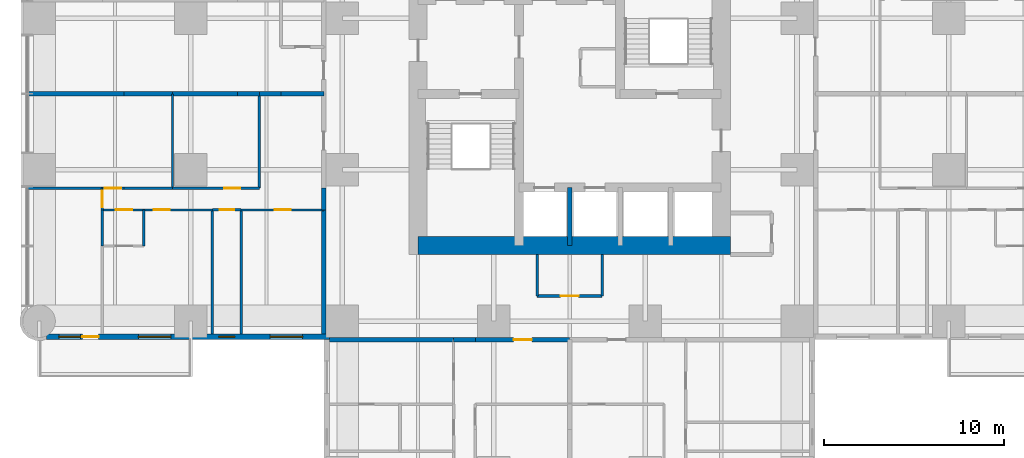
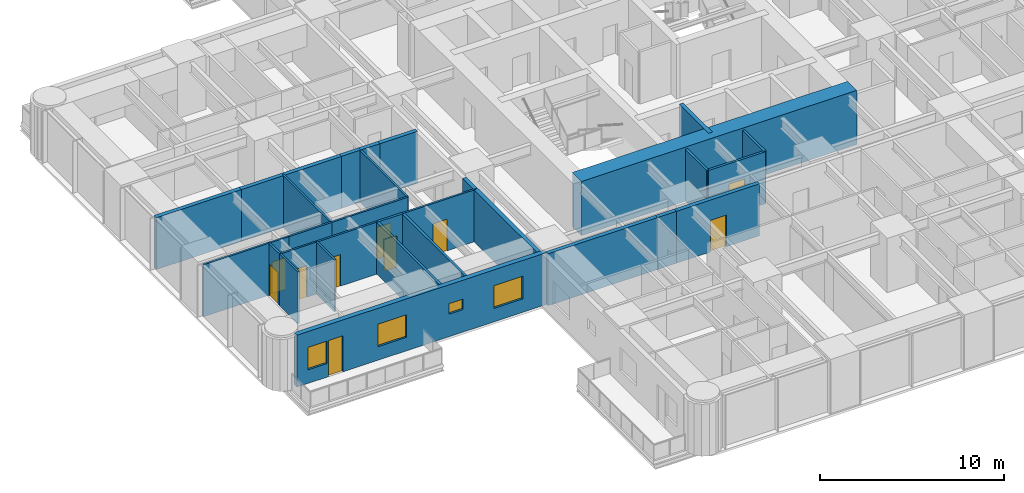
# One storey, part 8 of 17: 32 walls, 10 doors, 4 windows, 14 openings.
"""IFC4 building model written with IfcOpenShell, lengths in metres."""

from ifc_helpers import new_model, si_unit, direction, frame, frame_2d, origin, place, context, subcontext, project, spatial, rectangle, extrude, material, layer, layer_set, type_object, element, fill, save


model = new_model("IFC4")

# Units and contexts
model_context = context("Model", 3, precision=1e-05, world=origin(), true_north=direction((0.0, 1.0)))
body_context = subcontext(model_context, "Body", "Model", "MODEL_VIEW")
ifc_project = project(units=[si_unit("LENGTHUNIT", "METRE"), si_unit("AREAUNIT", "SQUARE_METRE"), si_unit("VOLUMEUNIT", "CUBIC_METRE"), si_unit("PLANEANGLEUNIT", "RADIAN"), si_unit("MASSUNIT", "GRAM", prefix="KILO")], contexts=[model_context])

# Site, building, storey
site_placement = place(None, origin())
site = spatial("IfcSite", under=ifc_project, at=site_placement, CompositionType="ELEMENT")
building_placement = place(site_placement, origin())
building = spatial("IfcBuilding", under=site, at=building_placement, Name="Torre Alcanfor", CompositionType="ELEMENT")
storey_placement = place(building_placement, frame((0.0, 0.0, 48.89990234375)))
storey = spatial("IfcBuildingStorey", under=building, at=storey_placement, Name="L11", CompositionType="ELEMENT", Elevation=48.89990234375)

# Wall, opening, door
ifc_material_1 = material(Name="Concrete block masonry, hollow blocks NMX-C-404 9 MPa", Category="masonry")
ifc_layer_1 = layer(ifc_material_1, 0.25)
ifc_layer_set_1 = layer_set([ifc_layer_1], Name="Apartment entrance wall 250 EI 60")
wall_type_1 = type_object("IfcWallType", Name="Apartment entrance wall 250 EI 60", PredefinedType="PARTITIONING", material=ifc_layer_set_1)
wall_1_placement = place(storey_placement, frame((29.39990234375, 15.77490234375, 0.0), z_axis=(0.0, 0.0, 1.0), x_axis=(-1.0, 0.0, 0.0)))
wall_1 = element("IfcWall", 1, at=wall_1_placement, inside=storey, type_object=wall_type_1, Name="Partition L11-CORR / L11-S2-ZAG", PredefinedType="PARTITIONING", context=body_context, shape_type="SweptSolid", body=[
    extrude(rectangle(XDim=5.22900390625, YDim=0.25, at=frame_2d((2.614501953125, 0.0))), origin(), (0.0, 0.0, 1.0), 3.4501953125),
])
opening_1_placement = place(wall_1_placement, frame((2.10009765625, 0.0, 0.0)))
opening_1 = element("IfcOpeningElement", 2, at=opening_1_placement, cuts=wall_1, Name="Opening D-A1", PredefinedType="OPENING", context=body_context, shape_type="SweptSolid", body=[
    extrude(rectangle(XDim=1.0, YDim=2.10009765625, at=frame_2d((0.5, 1.050048828125))), frame((0.0, 0.135009765625, 0.0), z_axis=(0.0, -1.0, 0.0), x_axis=(1.0, 0.0, 0.0)), (0.0, 0.0, 1.0), 0.27001953125),
])
ifc_material_2 = material(Name="Galvanised steel sheet ASTM A653", Category="steel")
door_type_1 = type_object("IfcDoorType", Name="Apartment entrance door FD60 1000x2100", OperationType="SINGLE_SWING_LEFT", PredefinedType="DOOR", material=ifc_material_2)
door_1_placement = place(opening_1_placement, origin())
door_1 = element("IfcDoor", 3, at=door_1_placement, inside=storey, type_object=door_type_1, Name="Apartment entrance L11-S2", OperationType="SINGLE_SWING_LEFT", OverallHeight=2.10009765625, OverallWidth=1.0, PredefinedType="DOOR", context=body_context, shape_type="SweptSolid", body=[
    extrude(rectangle(XDim=1.0, YDim=2.10009765625, at=frame_2d((0.5, 1.050048828125))), frame((0.0, 0.02490234375, 0.0), z_axis=(0.0, -1.0, 0.0), x_axis=(1.0, 0.0, 0.0)), (0.0, 0.0, 1.0), 0.050048828125),
])
fill(opening_1, door_1)

# Walls
wall_2_placement = place(storey_placement, frame((24.1708984375, 15.77490234375, 0.0), z_axis=(0.0, 0.0, 1.0), x_axis=(-1.0, 0.0, 0.0)))
element("IfcWall", 4, at=wall_2_placement, inside=storey, type_object=wall_type_1, Name="Partition L11-CORR / L11-S2-HALL", PredefinedType="PARTITIONING", context=body_context, shape_type="SweptSolid", body=[
    extrude(rectangle(XDim=1.199951171875, YDim=0.25, at=frame_2d((0.60009765625, 0.0))), origin(), (0.0, 0.0, 1.0), 3.4501953125),
])
wall_3_placement = place(storey_placement, frame((22.970947265625, 15.77490234375, 0.0), z_axis=(0.0, 0.0, 1.0), x_axis=(-1.0, 0.0, 0.0)))
element("IfcWall", 5, at=wall_3_placement, inside=storey, type_object=wall_type_1, Name="Partition L11-CORR / L11-S2-SERV", PredefinedType="PARTITIONING", context=body_context, shape_type="SweptSolid", body=[
    extrude(rectangle(XDim=6.870849609375, YDim=0.25, at=frame_2d((3.435546875, 0.0))), origin(), (0.0, 0.0, 1.0), 3.4501953125),
])
wall_4_placement = place(storey_placement, frame((15.77490234375, 22.970947265625, 0.0), z_axis=(0.0, 0.0, 1.0), x_axis=(0.0, 1.0, 0.0)))
element("IfcWall", 6, at=wall_4_placement, inside=storey, type_object=wall_type_1, Name="Partition L11-CORR / L11-W1-HALL", PredefinedType="PARTITIONING", context=body_context, shape_type="SweptSolid", body=[
    extrude(rectangle(XDim=1.199951171875, YDim=0.25, at=frame_2d((0.60009765625, 0.0))), origin(), (0.0, 0.0, 1.0), 3.4501953125),
])
wall_5_placement = place(storey_placement, frame((15.77490234375, 16.10009765625, 0.0), z_axis=(0.0, 0.0, 1.0), x_axis=(0.0, 1.0, 0.0)))
element("IfcWall", 7, at=wall_5_placement, inside=storey, type_object=wall_type_1, Name="Partition L11-CORR / L11-W1-BED2", PredefinedType="PARTITIONING", context=body_context, shape_type="SweptSolid", body=[
    extrude(rectangle(XDim=6.870849609375, YDim=0.25, at=frame_2d((3.435546875, 0.0))), origin(), (0.0, 0.0, 1.0), 3.4501953125),
])
ifc_material_3 = material(Name="Gypsum board on steel studs", Category="steel")
ifc_layer_2 = layer(ifc_material_3, 0.1201171875)
ifc_layer_set_2 = layer_set([ifc_layer_2], Name="Apartment partition 120")
wall_type_2 = type_object("IfcWallType", Name="Apartment partition 120", PredefinedType="PARTITIONING", material=ifc_layer_set_2)
for number, where, z_axis, x_axis, name in (
    (8, (12.199951171875, 29.39990234375, 0.0), (0.0, 0.0, 1.0), (0.0, -1.0, 0.0), "Partition L11-W1-ZAG / L11-W1-FAMILY"),
    (9, (7.39990234375, 29.39990234375, 0.0), (0.0, 0.0, 1.0), (0.0, -1.0, 0.0), "Partition L11-W1-FAMILY / L11-W1-KITCHEN"),
):
    element("IfcWall", number, at=place(storey_placement, frame(where, z_axis=z_axis, x_axis=x_axis)), inside=storey, type_object=wall_type_2, Name=name, PredefinedType="PARTITIONING", context=body_context, shape_type="SweptSolid", body=[
        extrude(rectangle(XDim=5.22900390625, YDim=0.1201171875, at=frame_2d((2.614501953125, 0.0))), origin(), (0.0, 0.0, 1.0), 3.4501953125),
    ])

# Wall, opening, door
wall_6_placement = place(storey_placement, frame((7.39990234375, 24.1708984375, 0.0), z_axis=(0.0, 0.0, 1.0), x_axis=(1.0, 0.0, 0.0)))
wall_6 = element("IfcWall", 10, at=wall_6_placement, inside=storey, type_object=wall_type_2, Name="Partition L11-W1-FAMILY / L11-W1-HALL", PredefinedType="PARTITIONING", context=body_context, shape_type="SweptSolid", body=[
    extrude(rectangle(XDim=4.800048828125, YDim=0.1201171875, at=frame_2d((2.39990234375, 0.0))), origin(), (0.0, 0.0, 1.0), 3.4501953125),
])
opening_2_placement = place(wall_6_placement, frame((2.85009765625, 0.0, 0.0)))
opening_2 = element("IfcOpeningElement", 11, at=opening_2_placement, cuts=wall_6, Name="Opening D-R1", PredefinedType="OPENING", context=body_context, shape_type="SweptSolid", body=[
    extrude(rectangle(XDim=0.89990234375, YDim=2.10009765625, at=frame_2d((0.449951171875, 1.050048828125))), frame((0.0, 0.070068359375, 0.0), z_axis=(0.0, -1.0, 0.0), x_axis=(1.0, 0.0, 0.0)), (0.0, 0.0, 1.0), 0.14013671875),
])
ifc_material_4 = material(Name="Timber", Category="wood")
door_type_2 = type_object("IfcDoorType", Name="Internal door 900x2100", OperationType="SINGLE_SWING_LEFT", PredefinedType="DOOR", material=ifc_material_4)
door_2_placement = place(opening_2_placement, origin())
door_2 = element("IfcDoor", 12, at=door_2_placement, inside=storey, type_object=door_type_2, Name="Door L11-W1 family", OperationType="SINGLE_SWING_RIGHT", OverallHeight=2.10009765625, OverallWidth=0.89990234375, PredefinedType="DOOR", context=body_context, shape_type="SweptSolid", body=[
    extrude(rectangle(XDim=0.89990234375, YDim=2.10009765625, at=frame_2d((0.449951171875, 1.050048828125))), frame((0.0, 0.02490234375, 0.0), z_axis=(0.0, -1.0, 0.0), x_axis=(1.0, 0.0, 0.0)), (0.0, 0.0, 1.0), 0.050048828125),
])
fill(opening_2, door_2)

# Wall
wall_7_placement = place(storey_placement, frame((4.699951171875, 24.1708984375, 0.0), z_axis=(0.0, 0.0, 1.0), x_axis=(1.0, 0.0, 0.0)))
element("IfcWall", 13, at=wall_7_placement, inside=storey, type_object=wall_type_2, Name="Partition L11-W1-KITCHEN / L11-W1-HALL", PredefinedType="PARTITIONING", context=body_context, shape_type="SweptSolid", body=[
    extrude(rectangle(XDim=2.699951171875, YDim=0.1201171875, at=frame_2d((1.35009765625, 0.0))), origin(), (0.0, 0.0, 1.0), 3.4501953125),
])

# Wall, opening, door
wall_8_placement = place(storey_placement, frame((3.5, 24.1708984375, 0.0), z_axis=(0.0, 0.0, 1.0), x_axis=(1.0, 0.0, 0.0)))
wall_8 = element("IfcWall", 14, at=wall_8_placement, inside=storey, type_object=wall_type_2, Name="Partition L11-W1-LIVING / L11-W1-HALL", PredefinedType="PARTITIONING", context=body_context, shape_type="SweptSolid", body=[
    extrude(rectangle(XDim=1.199951171875, YDim=0.1201171875, at=frame_2d((0.60009765625, 0.0))), origin(), (0.0, 0.0, 1.0), 3.4501953125),
])
opening_3_placement = place(wall_8_placement, frame((0.14990234375, 0.0, 0.0)))
opening_3 = element("IfcOpeningElement", 15, at=opening_3_placement, cuts=wall_8, Name="Opening D-R1", PredefinedType="OPENING", context=body_context, shape_type="SweptSolid", body=[
    extrude(rectangle(XDim=0.89990234375, YDim=2.10009765625, at=frame_2d((0.449951171875, 1.050048828125))), frame((0.0, 0.070068359375, 0.0), z_axis=(0.0, -1.0, 0.0), x_axis=(1.0, 0.0, 0.0)), (0.0, 0.0, 1.0), 0.14013671875),
])
door_3_placement = place(opening_3_placement, origin())
door_3 = element("IfcDoor", 16, at=door_3_placement, inside=storey, type_object=door_type_2, Name="Door L11-W1 living", OperationType="SINGLE_SWING_RIGHT", OverallHeight=2.10009765625, OverallWidth=0.89990234375, PredefinedType="DOOR", context=body_context, shape_type="SweptSolid", body=[
    extrude(rectangle(XDim=0.89990234375, YDim=2.10009765625, at=frame_2d((0.449951171875, 1.050048828125))), frame((0.0, 0.02490234375, 0.0), z_axis=(0.0, -1.0, 0.0), x_axis=(1.0, 0.0, 0.0)), (0.0, 0.0, 1.0), 0.050048828125),
])
fill(opening_3, door_3)

# Wall
wall_9_placement = place(storey_placement, frame((-0.64990234375, 24.1708984375, 0.0), z_axis=(0.0, 0.0, 1.0), x_axis=(1.0, 0.0, 0.0)))
element("IfcWall", 17, at=wall_9_placement, inside=storey, type_object=wall_type_2, Name="Partition L11-W1-LIVING / L11-W1-WGARD", PredefinedType="PARTITIONING", context=body_context, shape_type="SweptSolid", body=[
    extrude(rectangle(XDim=4.14990234375, YDim=0.1201171875, at=frame_2d((2.074951171875, 0.0))), origin(), (0.0, 0.0, 1.0), 3.4501953125),
])

# Wall, opening, door
wall_10_placement = place(storey_placement, frame((11.199951171875, 22.970947265625, 0.0), z_axis=(0.0, 0.0, 1.0), x_axis=(1.0, 0.0, 0.0)))
wall_10 = element("IfcWall", 18, at=wall_10_placement, inside=storey, type_object=wall_type_2, Name="Partition L11-W1-HALL / L11-W1-BED2", PredefinedType="PARTITIONING", context=body_context, shape_type="SweptSolid", body=[
    extrude(rectangle(XDim=4.574951171875, YDim=0.1201171875, at=frame_2d((2.28759765625, 0.0))), origin(), (0.0, 0.0, 1.0), 3.4501953125),
])
opening_4_placement = place(wall_10_placement, frame((1.85009765625, 0.0, 0.0)))
opening_4 = element("IfcOpeningElement", 19, at=opening_4_placement, cuts=wall_10, Name="Opening D-R1", PredefinedType="OPENING", context=body_context, shape_type="SweptSolid", body=[
    extrude(rectangle(XDim=0.89990234375, YDim=2.10009765625, at=frame_2d((0.449951171875, 1.050048828125))), frame((0.0, 0.070068359375, 0.0), z_axis=(0.0, -1.0, 0.0), x_axis=(1.0, 0.0, 0.0)), (0.0, 0.0, 1.0), 0.14013671875),
])
door_4_placement = place(opening_4_placement, frame((0.89990234375, 0.0, 0.0), z_axis=(0.0, 0.0, 1.0), x_axis=(-1.0, 0.0, 0.0)))
door_4 = element("IfcDoor", 20, at=door_4_placement, inside=storey, type_object=door_type_2, Name="Door L11-W1 bed2", OperationType="SINGLE_SWING_LEFT", OverallHeight=2.10009765625, OverallWidth=0.89990234375, PredefinedType="DOOR", context=body_context, shape_type="SweptSolid", body=[
    extrude(rectangle(XDim=0.89990234375, YDim=2.10009765625, at=frame_2d((0.449951171875, 1.050048828125))), frame((0.0, 0.025146484375, 0.0), z_axis=(0.0, -1.0, 0.0), x_axis=(1.0, 0.0, 0.0)), (0.0, 0.0, 1.0), 0.050048828125),
])
fill(opening_4, door_4)

wall_11_placement = place(storey_placement, frame((5.800048828125, 22.970947265625, 0.0), z_axis=(0.0, 0.0, 1.0), x_axis=(1.0, 0.0, 0.0)))
wall_11 = element("IfcWall", 21, at=wall_11_placement, inside=storey, type_object=wall_type_2, Name="Partition L11-W1-HALL / L11-W1-MASTER", PredefinedType="PARTITIONING", context=body_context, shape_type="SweptSolid", body=[
    extrude(rectangle(XDim=3.800048828125, YDim=0.1201171875, at=frame_2d((1.89990234375, 0.0))), origin(), (0.0, 0.0, 1.0), 3.4501953125),
])
opening_5_placement = place(wall_11_placement, frame((0.550048828125, 0.0, 0.0)))
opening_5 = element("IfcOpeningElement", 22, at=opening_5_placement, cuts=wall_11, Name="Opening D-R1", PredefinedType="OPENING", context=body_context, shape_type="SweptSolid", body=[
    extrude(rectangle(XDim=0.89990234375, YDim=2.10009765625, at=frame_2d((0.449951171875, 1.050048828125))), frame((0.0, 0.070068359375, 0.0), z_axis=(0.0, -1.0, 0.0), x_axis=(1.0, 0.0, 0.0)), (0.0, 0.0, 1.0), 0.14013671875),
])
door_5_placement = place(opening_5_placement, frame((0.89990234375, 0.0, 0.0), z_axis=(0.0, 0.0, 1.0), x_axis=(-1.0, 0.0, 0.0)))
door_5 = element("IfcDoor", 23, at=door_5_placement, inside=storey, type_object=door_type_2, Name="Door L11-W1 master", OperationType="SINGLE_SWING_RIGHT", OverallHeight=2.10009765625, OverallWidth=0.89990234375, PredefinedType="DOOR", context=body_context, shape_type="SweptSolid", body=[
    extrude(rectangle(XDim=0.89990234375, YDim=2.10009765625, at=frame_2d((0.449951171875, 1.050048828125))), frame((0.0, 0.025146484375, 0.0), z_axis=(0.0, -1.0, 0.0), x_axis=(1.0, 0.0, 0.0)), (0.0, 0.0, 1.0), 0.050048828125),
])
fill(opening_5, door_5)

wall_12_placement = place(storey_placement, frame((3.5, 22.970947265625, 0.0), z_axis=(0.0, 0.0, 1.0), x_axis=(1.0, 0.0, 0.0)))
wall_12 = element("IfcWall", 24, at=wall_12_placement, inside=storey, type_object=wall_type_2, Name="Partition L11-W1-HALL / L11-W1-VEST", PredefinedType="PARTITIONING", context=body_context, shape_type="SweptSolid", body=[
    extrude(rectangle(XDim=2.300048828125, YDim=0.1201171875, at=frame_2d((1.14990234375, 0.0))), origin(), (0.0, 0.0, 1.0), 3.4501953125),
])
opening_6_placement = place(wall_12_placement, frame((0.75, 0.0, 0.0)))
opening_6 = element("IfcOpeningElement", 25, at=opening_6_placement, cuts=wall_12, Name="Opening D-R1", PredefinedType="OPENING", context=body_context, shape_type="SweptSolid", body=[
    extrude(rectangle(XDim=0.89990234375, YDim=2.10009765625, at=frame_2d((0.449951171875, 1.050048828125))), frame((0.0, 0.070068359375, 0.0), z_axis=(0.0, -1.0, 0.0), x_axis=(1.0, 0.0, 0.0)), (0.0, 0.0, 1.0), 0.14013671875),
])
door_6_placement = place(opening_6_placement, frame((0.89990234375, 0.0, 0.0), z_axis=(0.0, 0.0, 1.0), x_axis=(-1.0, 0.0, 0.0)))
door_6 = element("IfcDoor", 26, at=door_6_placement, inside=storey, type_object=door_type_2, Name="Door L11-W1 vest", OperationType="SINGLE_SWING_LEFT", OverallHeight=2.10009765625, OverallWidth=0.89990234375, PredefinedType="DOOR", context=body_context, shape_type="SweptSolid", body=[
    extrude(rectangle(XDim=0.89990234375, YDim=2.10009765625, at=frame_2d((0.449951171875, 1.050048828125))), frame((0.0, 0.025146484375, 0.0), z_axis=(0.0, -1.0, 0.0), x_axis=(1.0, 0.0, 0.0)), (0.0, 0.0, 1.0), 0.050048828125),
])
fill(opening_6, door_6)

wall_13_placement = place(storey_placement, frame((3.5, 24.1708984375, 0.0), z_axis=(0.0, 0.0, 1.0), x_axis=(0.0, -1.0, 0.0)))
wall_13 = element("IfcWall", 27, at=wall_13_placement, inside=storey, type_object=wall_type_2, Name="Partition L11-W1-HALL / L11-W1-WGARD", PredefinedType="PARTITIONING", context=body_context, shape_type="SweptSolid", body=[
    extrude(rectangle(XDim=1.199951171875, YDim=0.1201171875, at=frame_2d((0.60009765625, 0.0))), origin(), (0.0, 0.0, 1.0), 3.4501953125),
])
opening_7_placement = place(wall_13_placement, frame((0.15087890625, 0.0, 0.0)))
opening_7 = element("IfcOpeningElement", 28, at=opening_7_placement, cuts=wall_13, Name="Opening D-R1", PredefinedType="OPENING", context=body_context, shape_type="SweptSolid", body=[
    extrude(rectangle(XDim=0.89990234375, YDim=2.10009765625, at=frame_2d((0.449951171875, 1.050048828125))), frame((0.0, 0.070068359375, 0.0), z_axis=(0.0, -1.0, 0.0), x_axis=(1.0, 0.0, 0.0)), (0.0, 0.0, 1.0), 0.14013671875),
])
door_7_placement = place(opening_7_placement, frame((0.89990234375, 0.0, 0.0), z_axis=(0.0, 0.0, 1.0), x_axis=(-1.0, 0.0, 0.0)))
door_7 = element("IfcDoor", 29, at=door_7_placement, inside=storey, type_object=door_type_2, Name="Door L11-W1 wgard", OperationType="SINGLE_SWING_RIGHT", OverallHeight=2.10009765625, OverallWidth=0.89990234375, PredefinedType="DOOR", context=body_context, shape_type="SweptSolid", body=[
    extrude(rectangle(XDim=0.89990234375, YDim=2.10009765625, at=frame_2d((0.449951171875, 1.050048828125))), frame((0.0, 0.025146484375, 0.0), z_axis=(0.0, -1.0, 0.0), x_axis=(1.0, 0.0, 0.0)), (0.0, 0.0, 1.0), 0.050048828125),
])
fill(opening_7, door_7)

# Walls
for number, where, z_axis, x_axis, name in (
    (30, (5.800048828125, 20.970947265625, 0.0), (0.0, 0.0, 1.0), (0.0, 1.0, 0.0), "Partition L11-W1-MASTER / L11-W1-VEST"),
    (31, (3.5, 22.970947265625, 0.0), (0.0, 0.0, 1.0), (0.0, -1.0, 0.0), "Partition L11-W1-VEST / L11-W1-WGARD"),
):
    element("IfcWall", number, at=place(storey_placement, frame(where, z_axis=z_axis, x_axis=x_axis)), inside=storey, type_object=wall_type_2, Name=name, PredefinedType="PARTITIONING", context=body_context, shape_type="SweptSolid", body=[
        extrude(rectangle(XDim=2.0, YDim=0.1201171875, at=frame_2d((1.0, 0.0))), origin(), (0.0, 0.0, 1.0), 3.4501953125),
    ])
ifc_material_5 = material(Name="Concrete f'c 70 MPa", Category="concrete")
ifc_layer_3 = layer(ifc_material_5, 0.25)
ifc_layer_set_3 = layer_set([ifc_layer_3], Name="Core shaft wall 250 f'c70")
wall_type_3 = type_object("IfcWallType", Name="Core shaft wall 250 f'c70", PredefinedType="SHEAR", material=ifc_layer_set_3)
wall_14_placement = place(storey_placement, frame((29.39990234375, 21.0, 0.0), z_axis=(0.0, 0.0, 1.0), x_axis=(0.0, 1.0, 0.0)))
element("IfcWall", 32, at=wall_14_placement, inside=storey, type_object=wall_type_3, Name="Core wall X294S L11", PredefinedType="SHEAR", context=body_context, shape_type="SweptSolid", body=[
    extrude(rectangle(XDim=3.199951171875, YDim=0.25, at=frame_2d((1.60009765625, 0.0))), origin(), (0.0, 0.0, 1.0), 3.60009765625),
])
ifc_material_6 = material(Name="Concrete f'c 70 MPa", Category="concrete")
ifc_layer_4 = layer(ifc_material_6, 1.0)
ifc_layer_set_4 = layer_set([ifc_layer_4], Name="Core wall 1000 f'c70")
wall_type_4 = type_object("IfcWallType", Name="Core wall 1000 f'c70", PredefinedType="SHEAR", material=ifc_layer_set_4)
wall_15_placement = place(storey_placement, frame((21.0, 21.0, 0.0), z_axis=(0.0, 0.0, 1.0), x_axis=(1.0, 0.0, 0.0)))
element("IfcWall", 33, at=wall_15_placement, inside=storey, type_object=wall_type_4, Name="Core wall OUT-S L11", PredefinedType="SHEAR", context=body_context, shape_type="SweptSolid", body=[
    extrude(rectangle(XDim=17.300048828125, YDim=1.0, at=frame_2d((8.64990234375, 0.0))), origin(), (0.0, 0.0, 1.0), 3.60009765625),
])

# Wall, openings, door, windows
ifc_material_7 = material(Name="Limestone cladding", Category="masonry")
ifc_layer_5 = layer(ifc_material_7, 0.0400390625, Name="Facing")
ifc_material_8 = material(Name="Ventilated air cavity")
ifc_layer_6 = layer(ifc_material_8, 0.02001953125, ventilated=True, Name="Ventilated joint")
ifc_material_9 = material(Name="Mineral wool insulation", Category="insulation")
ifc_layer_7 = layer(ifc_material_9, 0.10009765625, Name="Insulation")
ifc_material_10 = material(Name="Concrete f'c 35 MPa", Category="concrete")
ifc_layer_8 = layer(ifc_material_10, 0.139892578125, Name="Backing")
ifc_layer_set_5 = layer_set([ifc_layer_5, ifc_layer_6, ifc_layer_7, ifc_layer_8], Name="External wall stone-clad 300")
wall_type_5 = type_object("IfcWallType", Name="External wall stone-clad 300", PredefinedType="SOLIDWALL", material=ifc_layer_set_5)
wall_16_placement = place(storey_placement, frame((0.39990234375, 15.949951171875, 0.0), z_axis=(0.0, 0.0, 1.0), x_axis=(1.0, 0.0, 0.0)))
wall_16 = element("IfcWall", 34, at=wall_16_placement, inside=storey, type_object=wall_type_5, Name="External wall L11 3", PredefinedType="SOLIDWALL", context=body_context, shape_type="SweptSolid", body=[
    extrude(rectangle(XDim=15.7001953125, YDim=0.300048828125, at=frame_2d((7.85009765625, 0.0))), origin(), (0.0, 0.0, 1.0), 3.4501953125),
])
opening_8_placement = place(wall_16_placement, frame((12.39990234375, 0.0, 0.89990234375)))
opening_8 = element("IfcOpeningElement", 35, at=opening_8_placement, cuts=wall_16, Name="Opening W2", PredefinedType="OPENING", context=body_context, shape_type="SweptSolid", body=[
    extrude(rectangle(XDim=1.800048828125, YDim=1.5, at=frame_2d((0.89990234375, 0.75))), frame((0.0, 0.159912109375, 0.0), z_axis=(0.0, -1.0, 0.0), x_axis=(1.0, 0.0, 0.0)), (0.0, 0.0, 1.0), 0.320068359375),
])
opening_9_placement = place(wall_16_placement, frame((9.550048828125, 0.0, 1.5)))
opening_9 = element("IfcOpeningElement", 36, at=opening_9_placement, cuts=wall_16, Name="Opening W3", PredefinedType="OPENING", context=body_context, shape_type="SweptSolid", body=[
    extrude(rectangle(XDim=0.89990234375, YDim=0.699951171875, at=frame_2d((0.449951171875, 0.35009765625))), frame((0.0, 0.159912109375, 0.0), z_axis=(0.0, -1.0, 0.0), x_axis=(1.0, 0.0, 0.0)), (0.0, 0.0, 1.0), 0.320068359375),
])
opening_10_placement = place(wall_16_placement, frame((5.10009765625, 0.0, 0.89990234375)))
opening_10 = element("IfcOpeningElement", 37, at=opening_10_placement, cuts=wall_16, Name="Opening W2", PredefinedType="OPENING", context=body_context, shape_type="SweptSolid", body=[
    extrude(rectangle(XDim=1.800048828125, YDim=1.5, at=frame_2d((0.89990234375, 0.75))), frame((0.0, 0.159912109375, 0.0), z_axis=(0.0, -1.0, 0.0), x_axis=(1.0, 0.0, 0.0)), (0.0, 0.0, 1.0), 0.320068359375),
])
opening_11_placement = place(wall_16_placement, frame((2.0, 0.0, 0.0)))
opening_11 = element("IfcOpeningElement", 38, at=opening_11_placement, cuts=wall_16, Name="Opening D-B1", PredefinedType="OPENING", context=body_context, shape_type="SweptSolid", body=[
    extrude(rectangle(XDim=0.89990234375, YDim=2.39990234375, at=frame_2d((0.449951171875, 1.199951171875))), frame((0.0, 0.159912109375, 0.0), z_axis=(0.0, -1.0, 0.0), x_axis=(1.0, 0.0, 0.0)), (0.0, 0.0, 1.0), 0.320068359375),
])
opening_12_placement = place(wall_16_placement, frame((0.699951171875, 0.0, 0.89990234375)))
opening_12 = element("IfcOpeningElement", 39, at=opening_12_placement, cuts=wall_16, Name="Opening W4", PredefinedType="OPENING", context=body_context, shape_type="SweptSolid", body=[
    extrude(rectangle(XDim=1.199951171875, YDim=1.5, at=frame_2d((0.60009765625, 0.75))), frame((0.0, 0.159912109375, 0.0), z_axis=(0.0, -1.0, 0.0), x_axis=(1.0, 0.0, 0.0)), (0.0, 0.0, 1.0), 0.320068359375),
])
ifc_material_11 = material(Name="Aluminium and glass", Category="aluminium")
door_type_3 = type_object("IfcDoorType", Name="Balcony door glazed 900x2400", OperationType="SINGLE_SWING_LEFT", PredefinedType="DOOR", material=ifc_material_11)
door_8_placement = place(opening_11_placement, origin())
door_8 = element("IfcDoor", 40, at=door_8_placement, inside=storey, type_object=door_type_3, Name="Balcony door L11-W1", OperationType="SINGLE_SWING_RIGHT", OverallHeight=2.39990234375, OverallWidth=0.89990234375, PredefinedType="DOOR", context=body_context, shape_type="SweptSolid", body=[
    extrude(rectangle(XDim=0.89990234375, YDim=2.39990234375, at=frame_2d((0.449951171875, 1.199951171875))), frame((0.0, 0.02490234375, 0.0), z_axis=(0.0, -1.0, 0.0), x_axis=(1.0, 0.0, 0.0)), (0.0, 0.0, 1.0), 0.050048828125),
])
fill(opening_11, door_8)
ifc_material_12 = material(Name="Aluminium frame with clear double glazing", Category="aluminium")
window_type_1 = type_object("IfcWindowType", Name="Window bathroom 900x700", PartitioningType="SINGLE_PANEL", PredefinedType="WINDOW", material=ifc_material_12)
window_1_placement = place(opening_9_placement, origin())
window_1 = element("IfcWindow", 41, at=window_1_placement, inside=storey, type_object=window_type_1, Name="Window W3 L11-W1", OverallHeight=0.699951171875, OverallWidth=0.89990234375, PartitioningType="SINGLE_PANEL", PredefinedType="WINDOW", context=body_context, shape_type="SweptSolid", body=[
    extrude(rectangle(XDim=0.89990234375, YDim=0.699951171875, at=frame_2d((0.449951171875, 0.35009765625))), frame((0.0, 0.030029296875, 0.0), z_axis=(0.0, -1.0, 0.0), x_axis=(1.0, 0.0, 0.0)), (0.0, 0.0, 1.0), 0.06005859375),
])
fill(opening_9, window_1)
ifc_material_13 = material(Name="Aluminium frame with clear double glazing", Category="aluminium")
window_type_2 = type_object("IfcWindowType", Name="Window bedroom 1200x1500", PartitioningType="SINGLE_PANEL", PredefinedType="WINDOW", material=ifc_material_13)
window_2_placement = place(opening_12_placement, origin())
window_2 = element("IfcWindow", 42, at=window_2_placement, inside=storey, type_object=window_type_2, Name="Window W4 L11-W1", OverallHeight=1.5, OverallWidth=1.199951171875, PartitioningType="SINGLE_PANEL", PredefinedType="WINDOW", context=body_context, shape_type="SweptSolid", body=[
    extrude(rectangle(XDim=1.199951171875, YDim=1.5, at=frame_2d((0.60009765625, 0.75))), frame((0.0, 0.030029296875, 0.0), z_axis=(0.0, -1.0, 0.0), x_axis=(1.0, 0.0, 0.0)), (0.0, 0.0, 1.0), 0.06005859375),
])
fill(opening_12, window_2)
ifc_material_14 = material(Name="Aluminium frame with clear double glazing", Category="aluminium")
window_type_3 = type_object("IfcWindowType", Name="Window bedroom 1800x1500", PartitioningType="SINGLE_PANEL", PredefinedType="WINDOW", material=ifc_material_14)
window_3_placement = place(opening_8_placement, origin())
window_3 = element("IfcWindow", 43, at=window_3_placement, inside=storey, type_object=window_type_3, Name="Window W2 L11-W1", OverallHeight=1.5, OverallWidth=1.800048828125, PartitioningType="SINGLE_PANEL", PredefinedType="WINDOW", context=body_context, shape_type="SweptSolid", body=[
    extrude(rectangle(XDim=1.800048828125, YDim=1.5, at=frame_2d((0.89990234375, 0.75))), frame((0.0, 0.030029296875, 0.0), z_axis=(0.0, -1.0, 0.0), x_axis=(1.0, 0.0, 0.0)), (0.0, 0.0, 1.0), 0.06005859375),
])
fill(opening_8, window_3)
window_4_placement = place(opening_10_placement, origin())
window_4 = element("IfcWindow", 44, at=window_4_placement, inside=storey, type_object=window_type_3, Name="Window W2 L11-W1", OverallHeight=1.5, OverallWidth=1.800048828125, PartitioningType="SINGLE_PANEL", PredefinedType="WINDOW", context=body_context, shape_type="SweptSolid", body=[
    extrude(rectangle(XDim=1.800048828125, YDim=1.5, at=frame_2d((0.89990234375, 0.75))), frame((0.0, 0.030029296875, 0.0), z_axis=(0.0, -1.0, 0.0), x_axis=(1.0, 0.0, 0.0)), (0.0, 0.0, 1.0), 0.06005859375),
])
fill(opening_10, window_4)

# Walls
ifc_material_15 = material(Name="Concrete block masonry, hollow blocks NMX-C-404 9 MPa", Category="masonry")
ifc_layer_9 = layer(ifc_material_15, 0.25)
ifc_layer_set_6 = layer_set([ifc_layer_9], Name="Party wall 250 EI 60")
wall_type_6 = type_object("IfcWallType", Name="Party wall 250 EI 60", PredefinedType="PARTITIONING", material=ifc_layer_set_6)
wall_17_placement = place(storey_placement, frame((15.77490234375, 29.39990234375, 0.0), z_axis=(0.0, 0.0, 1.0), x_axis=(-1.0, 0.0, 0.0)))
element("IfcWall", 45, at=wall_17_placement, inside=storey, type_object=wall_type_6, Name="Partition L11-W1-ZAG / L11-W2A-FOYER", PredefinedType="PARTITIONING", context=body_context, shape_type="SweptSolid", body=[
    extrude(rectangle(XDim=2.375, YDim=0.25, at=frame_2d((1.1875, 0.0))), origin(), (0.0, 0.0, 1.0), 3.4501953125),
])
for number, where, z_axis, x_axis, name in (
    (46, (13.39990234375, 29.39990234375, 0.0), (0.0, 0.0, 1.0), (-1.0, 0.0, 0.0), "Partition L11-W1-ZAG / L11-W2A-KITCHEN"),
    (47, (12.199951171875, 29.39990234375, 0.0), (0.0, 0.0, 1.0), (-1.0, 0.0, 0.0), "Partition L11-W1-FAMILY / L11-W2A-KITCHEN"),
):
    element("IfcWall", number, at=place(storey_placement, frame(where, z_axis=z_axis, x_axis=x_axis)), inside=storey, type_object=wall_type_6, Name=name, PredefinedType="PARTITIONING", context=body_context, shape_type="SweptSolid", body=[
        extrude(rectangle(XDim=1.199951171875, YDim=0.25, at=frame_2d((0.60009765625, 0.0))), origin(), (0.0, 0.0, 1.0), 3.4501953125),
    ])
wall_18_placement = place(storey_placement, frame((11.0, 29.39990234375, 0.0), z_axis=(0.0, 0.0, 1.0), x_axis=(-1.0, 0.0, 0.0)))
element("IfcWall", 48, at=wall_18_placement, inside=storey, type_object=wall_type_6, Name="Partition L11-W1-FAMILY / L11-W2A-STUDIO", PredefinedType="PARTITIONING", context=body_context, shape_type="SweptSolid", body=[
    extrude(rectangle(XDim=3.60009765625, YDim=0.25, at=frame_2d((1.800048828125, 0.0))), origin(), (0.0, 0.0, 1.0), 3.4501953125),
])
wall_19_placement = place(storey_placement, frame((7.39990234375, 29.39990234375, 0.0), z_axis=(0.0, 0.0, 1.0), x_axis=(-1.0, 0.0, 0.0)))
element("IfcWall", 49, at=wall_19_placement, inside=storey, type_object=wall_type_6, Name="Partition L11-W1-KITCHEN / L11-W2A-STUDIO", PredefinedType="PARTITIONING", context=body_context, shape_type="SweptSolid", body=[
    extrude(rectangle(XDim=2.699951171875, YDim=0.25, at=frame_2d((1.35009765625, 0.0))), origin(), (0.0, 0.0, 1.0), 3.4501953125),
])
wall_20_placement = place(storey_placement, frame((4.699951171875, 29.39990234375, 0.0), z_axis=(0.0, 0.0, 1.0), x_axis=(-1.0, 0.0, 0.0)))
element("IfcWall", 50, at=wall_20_placement, inside=storey, type_object=wall_type_6, Name="Partition L11-W1-LIVING / L11-W2A-STUDIO", PredefinedType="PARTITIONING", context=body_context, shape_type="SweptSolid", body=[
    extrude(rectangle(XDim=5.349853515625, YDim=0.25, at=frame_2d((2.6748046875, 0.0))), origin(), (0.0, 0.0, 1.0), 3.4501953125),
])
ifc_material_16 = material(Name="Concrete block masonry, hollow blocks NMX-C-404 9 MPa", Category="masonry")
ifc_layer_10 = layer(ifc_material_16, 0.14990234375)
ifc_layer_set_7 = layer_set([ifc_layer_10], Name="Residents' room partition 150")
wall_type_7 = type_object("IfcWallType", Name="Residents' room partition 150", PredefinedType="PARTITIONING", material=ifc_layer_set_7)
wall_21_placement = place(storey_placement, frame((27.60009765625, 20.5, 0.0), z_axis=(0.0, 0.0, 1.0), x_axis=(0.0, -1.0, 0.0)))
element("IfcWall", 51, at=wall_21_placement, inside=storey, type_object=wall_type_7, Name="Partition L11-CORR / L11-G04", PredefinedType="PARTITIONING", context=body_context, shape_type="SweptSolid", body=[
    extrude(rectangle(XDim=2.300048828125, YDim=0.14990234375, at=frame_2d((1.14990234375, 0.0))), origin(), (0.0, 0.0, 1.0), 3.4501953125),
])

# Wall, opening, door
wall_22_placement = place(storey_placement, frame((27.60009765625, 18.199951171875, 0.0), z_axis=(0.0, 0.0, 1.0), x_axis=(1.0, 0.0, 0.0)))
wall_22 = element("IfcWall", 52, at=wall_22_placement, inside=storey, type_object=wall_type_7, Name="Partition L11-CORR / L11-G04", PredefinedType="PARTITIONING", context=body_context, shape_type="SweptSolid", body=[
    extrude(rectangle(XDim=3.599853515625, YDim=0.14990234375, at=frame_2d((1.7998046875, 0.0))), origin(), (0.0, 0.0, 1.0), 3.4501953125),
])
opening_13_placement = place(wall_22_placement, frame((1.300048828125, 0.0, 0.0)))
opening_13 = element("IfcOpeningElement", 53, at=opening_13_placement, cuts=wall_22, Name="Opening D-M1", PredefinedType="OPENING", context=body_context, shape_type="SweptSolid", body=[
    extrude(rectangle(XDim=1.0, YDim=2.10009765625, at=frame_2d((0.5, 1.050048828125))), frame((0.0, 0.0849609375, 0.0), z_axis=(0.0, -1.0, 0.0), x_axis=(1.0, 0.0, 0.0)), (0.0, 0.0, 1.0), 0.169921875),
])
ifc_material_17 = material(Name="Timber", Category="wood")
door_type_4 = type_object("IfcDoorType", Name="Residents' room door 1000x2100", OperationType="SINGLE_SWING_LEFT", PredefinedType="DOOR", material=ifc_material_17)
door_9_placement = place(opening_13_placement, origin())
door_9 = element("IfcDoor", 54, at=door_9_placement, inside=storey, type_object=door_type_4, Name="Door L11-G04 residents' storage lockers", OperationType="SINGLE_SWING_LEFT", OverallHeight=2.10009765625, OverallWidth=1.0, PredefinedType="DOOR", context=body_context, shape_type="SweptSolid", body=[
    extrude(rectangle(XDim=1.0, YDim=2.10009765625, at=frame_2d((0.5, 1.050048828125))), frame((0.0, 0.02490234375, 0.0), z_axis=(0.0, -1.0, 0.0), x_axis=(1.0, 0.0, 0.0)), (0.0, 0.0, 1.0), 0.050048828125),
])
fill(opening_13, door_9)

# Wall
wall_23_placement = place(storey_placement, frame((31.199951171875, 18.199951171875, 0.0), z_axis=(0.0, 0.0, 1.0), x_axis=(0.0, 1.0, 0.0)))
element("IfcWall", 55, at=wall_23_placement, inside=storey, type_object=wall_type_7, Name="Partition L11-CORR / L11-G04", PredefinedType="PARTITIONING", context=body_context, shape_type="SweptSolid", body=[
    extrude(rectangle(XDim=2.300048828125, YDim=0.14990234375, at=frame_2d((1.14990234375, 0.0))), origin(), (0.0, 0.0, 1.0), 3.4501953125),
])

# Wall, opening, door
ifc_material_18 = material(Name="Cement board on steel studs", Category="steel")
ifc_layer_11 = layer(ifc_material_18, 0.14990234375)
ifc_layer_set_8 = layer_set([ifc_layer_11], Name="Wet area partition 150")
wall_type_8 = type_object("IfcWallType", Name="Wet area partition 150", PredefinedType="PARTITIONING", material=ifc_layer_set_8)
wall_24_placement = place(storey_placement, frame((9.60009765625, 22.970947265625, 0.0), z_axis=(0.0, 0.0, 1.0), x_axis=(1.0, 0.0, 0.0)))
wall_24 = element("IfcWall", 56, at=wall_24_placement, inside=storey, type_object=wall_type_8, Name="Partition L11-W1-HALL / L11-W1-BATH1", PredefinedType="PARTITIONING", context=body_context, shape_type="SweptSolid", body=[
    extrude(rectangle(XDim=1.599853515625, YDim=0.14990234375, at=frame_2d((0.7998046875, 0.0))), origin(), (0.0, 0.0, 1.0), 3.4501953125),
])
opening_14_placement = place(wall_24_placement, frame((0.39990234375, 0.0, 0.0)))
opening_14 = element("IfcOpeningElement", 57, at=opening_14_placement, cuts=wall_24, Name="Opening D-R2", PredefinedType="OPENING", context=body_context, shape_type="SweptSolid", body=[
    extrude(rectangle(XDim=0.800048828125, YDim=2.10009765625, at=frame_2d((0.39990234375, 1.050048828125))), frame((0.0, 0.0849609375, 0.0), z_axis=(0.0, -1.0, 0.0), x_axis=(1.0, 0.0, 0.0)), (0.0, 0.0, 1.0), 0.169921875),
])
ifc_material_19 = material(Name="Timber", Category="wood")
door_type_5 = type_object("IfcDoorType", Name="Bathroom door 800x2100", OperationType="SINGLE_SWING_LEFT", PredefinedType="DOOR", material=ifc_material_19)
door_10_placement = place(opening_14_placement, frame((0.800048828125, 0.0, 0.0), z_axis=(0.0, 0.0, 1.0), x_axis=(-1.0, 0.0, 0.0)))
door_10 = element("IfcDoor", 58, at=door_10_placement, inside=storey, type_object=door_type_5, Name="Door L11-W1 bath1", OperationType="SINGLE_SWING_RIGHT", OverallHeight=2.10009765625, OverallWidth=0.800048828125, PredefinedType="DOOR", context=body_context, shape_type="SweptSolid", body=[
    extrude(rectangle(XDim=0.800048828125, YDim=2.10009765625, at=frame_2d((0.400146484375, 1.050048828125))), frame((0.0, 0.025146484375, 0.0), z_axis=(0.0, -1.0, 0.0), x_axis=(1.0, 0.0, 0.0)), (0.0, 0.0, 1.0), 0.050048828125),
])
fill(opening_14, door_10)

# Walls
for number, where, z_axis, x_axis, name in (
    (59, (11.199951171875, 22.970947265625, 0.0), (0.0, 0.0, 1.0), (0.0, -1.0, 0.0), "Partition L11-W1-BED2 / L11-W1-BATH1"),
    (60, (9.60009765625, 22.970947265625, 0.0), (0.0, 0.0, 1.0), (0.0, -1.0, 0.0), "Partition L11-W1-BATH1 / L11-W1-MASTER"),
):
    element("IfcWall", number, at=place(storey_placement, frame(where, z_axis=z_axis, x_axis=x_axis)), inside=storey, type_object=wall_type_8, Name=name, PredefinedType="PARTITIONING", context=body_context, shape_type="SweptSolid", body=[
        extrude(rectangle(XDim=6.870849609375, YDim=0.14990234375, at=frame_2d((3.435546875, 0.0))), origin(), (0.0, 0.0, 1.0), 3.4501953125),
    ])

save(model, "model.ifc")
